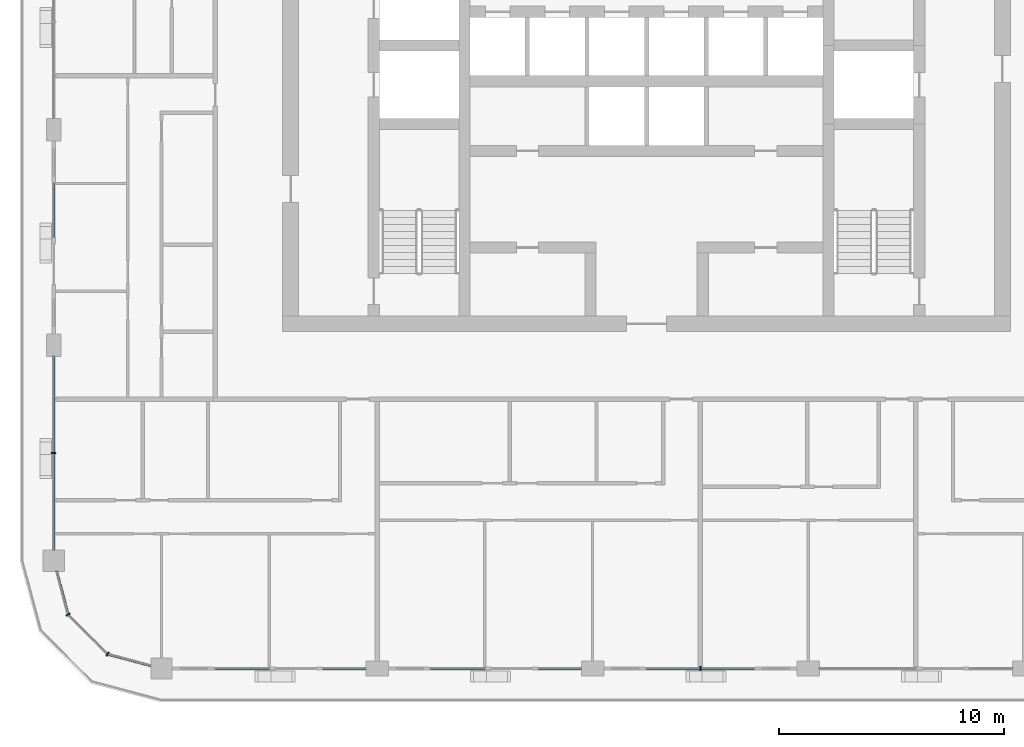
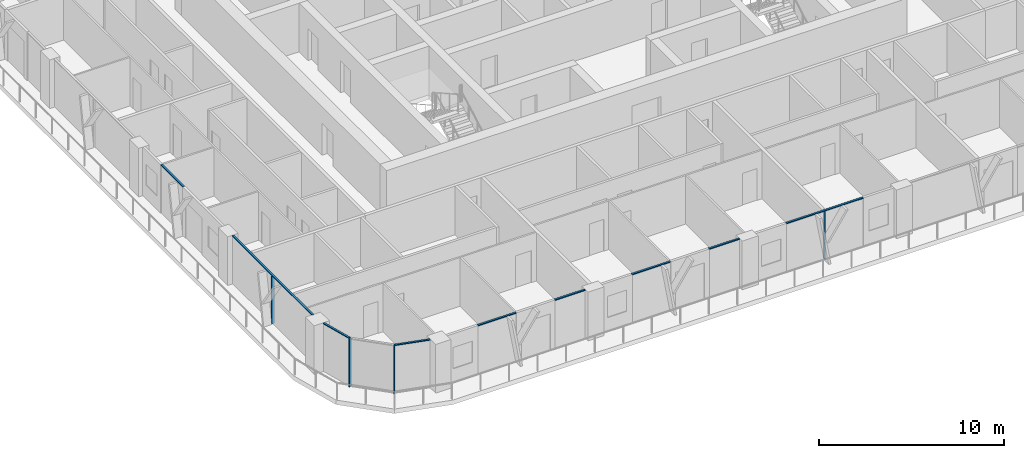
# One storey, part 2 of 21: 13 members, 6 elements without a shape of their own.
"""IFC4 building model written with IfcOpenShell, lengths in metres."""

from ifc_helpers import new_model, si_unit, direction, frame, origin, origin_2d, place, context, subcontext, project, spatial, rectangle, extrude, material, layer, layer_set, material_profile, profile_set, type_object, element, aggregate, save


model = new_model("IFC4")

# Units and contexts
model_context = context("Model", 3, precision=1e-05, world=origin(), true_north=direction((0.0, 1.0)))
body_context = subcontext(model_context, "Body", "Model", "MODEL_VIEW")
ifc_project = project(units=[si_unit("LENGTHUNIT", "METRE"), si_unit("AREAUNIT", "SQUARE_METRE"), si_unit("VOLUMEUNIT", "CUBIC_METRE"), si_unit("PLANEANGLEUNIT", "RADIAN"), si_unit("MASSUNIT", "GRAM", prefix="KILO")], contexts=[model_context])

# Site, building, storey
site_placement = place(None, origin())
site = spatial("IfcSite", under=ifc_project, at=site_placement, CompositionType="ELEMENT")
building_placement = place(site_placement, origin())
building = spatial("IfcBuilding", under=site, at=building_placement, Name="Madar Terraces", CompositionType="ELEMENT")
storey_placement = place(building_placement, frame((0.0, 0.0, 185.89990234375)))
storey = spatial("IfcBuildingStorey", under=building, at=storey_placement, Name="L48", CompositionType="ELEMENT", Elevation=185.89990234375)

# Curtain wall, member
ifc_material_1 = material(Name="Glass, ceramic frit dark grey, with black aluminium frame", Category="aluminium")
ifc_layer = layer(ifc_material_1, 0.199951171875)
ifc_layer_set = layer_set([ifc_layer], Name="Facade curtain wall, fritted glass")
curtain_wall_type = type_object("IfcCurtainWallType", Name="Facade curtain wall, fritted glass", PredefinedType="NOTDEFINED", material=ifc_layer_set)
curtain_wall_1_placement = place(storey_placement, origin())
curtain_wall_1 = element("IfcCurtainWall", 1, at=curtain_wall_1_placement, inside=storey, type_object=curtain_wall_type, Name="Outer skin curtain wall south bay 3", PredefinedType="NOTDEFINED")
ifc_material_2 = material(Name="Aluminium, black anodised", Category="aluminium")
ifc_material_profile_1 = material_profile(ifc_material_2, rectangle(XDim=0.199951171875, YDim=0.06005859375, at=origin_2d()), Name="Facade mullion 60x200")
ifc_profile_set_1 = profile_set([ifc_material_profile_1], Name="Aluminium, black anodised")
member_type_1 = type_object("IfcMemberType", Name="Facade mullion 60x200", PredefinedType="MULLION", material=ifc_profile_set_1)
member_1_placement = place(storey_placement, frame((33.60009765625, 0.0, 0.0), z_axis=(0.0, 0.0, 1.0), x_axis=(0.0, 1.0, 0.0)))
member_1 = element("IfcMember", 2, at=member_1_placement, type_object=member_type_1, Name="Mullion 1", PredefinedType="MULLION", context=body_context, shape_type="SweptSolid", body=[
    extrude(rectangle(XDim=0.199951171875, YDim=0.06005859375, at=origin_2d()), origin(), (0.0, 0.0, 1.0), 3.14013671875),
])

curtain_wall_2_placement = place(storey_placement, origin())
curtain_wall_2 = element("IfcCurtainWall", 3, at=curtain_wall_2_placement, inside=storey, type_object=curtain_wall_type, Name="Outer skin curtain wall west bay 4", PredefinedType="NOTDEFINED")
member_2_placement = place(storey_placement, frame((4.800048828125, 9.60009765625, 0.0), z_axis=(0.0, 0.0, 1.0), x_axis=(1.0, 0.0, 0.0)))
member_2 = element("IfcMember", 4, at=member_2_placement, type_object=member_type_1, Name="Mullion 1", PredefinedType="MULLION", context=body_context, shape_type="SweptSolid", body=[
    extrude(rectangle(XDim=0.199951171875, YDim=0.06005859375, at=origin_2d()), origin(), (0.0, 0.0, 1.0), 3.14013671875),
])

# Curtain wall, members
curtain_wall_3_placement = place(storey_placement, origin())
curtain_wall_3 = element("IfcCurtainWall", 5, at=curtain_wall_3_placement, inside=storey, type_object=curtain_wall_type, Name="Outer skin curtain wall south-west corner", PredefinedType="NOTDEFINED")
member_3_placement = place(storey_placement, frame((5.443115234375, 2.39990234375, 0.0), z_axis=(0.0, 0.0, 1.0), x_axis=(0.866025409797, 0.499999989586, 0.0)))
member_3 = element("IfcMember", 6, at=member_3_placement, type_object=member_type_1, Name="Mullion 1", PredefinedType="MULLION", context=body_context, shape_type="SweptSolid", body=[
    extrude(rectangle(XDim=0.199951171875, YDim=0.06005859375, at=origin_2d()), origin(), (0.0, 0.0, 1.0), 3.14013671875),
])
member_4_placement = place(storey_placement, frame((7.199951171875, 0.64306640625, 0.0), z_axis=(0.0, 0.0, 1.0), x_axis=(0.499999989586, 0.866025409797, 0.0)))
member_4 = element("IfcMember", 7, at=member_4_placement, type_object=member_type_1, Name="Mullion 2", PredefinedType="MULLION", context=body_context, shape_type="SweptSolid", body=[
    extrude(rectangle(XDim=0.199951171875, YDim=0.06005859375, at=origin_2d()), origin(), (0.0, 0.0, 1.0), 3.14013671875),
])

curtain_wall_4_placement = place(storey_placement, origin())
curtain_wall_4 = element("IfcCurtainWall", 8, at=curtain_wall_4_placement, inside=storey, type_object=curtain_wall_type, Name="Outer skin curtain wall south bay 1", PredefinedType="NOTDEFINED")
ifc_material_3 = material(Name="Aluminium, black anodised", Category="aluminium")
ifc_material_profile_2 = material_profile(ifc_material_3, rectangle(XDim=0.1201171875, YDim=0.06005859375, at=origin_2d()), Name="Facade transom 60x120")
ifc_profile_set_2 = profile_set([ifc_material_profile_2], Name="Aluminium, black anodised")
member_type_2 = type_object("IfcMemberType", Name="Facade transom 60x120", PredefinedType="USERDEFINED", material=ifc_profile_set_2)
member_5_placement = place(storey_placement, frame((12.0, 0.0, 3.170166015625), z_axis=(1.0, 0.0, 0.0), x_axis=(0.0, 1.0, 0.0)))
member_5 = element("IfcMember", 9, at=member_5_placement, type_object=member_type_2, Name="Transom 1", ObjectType="TRANSOM", PredefinedType="USERDEFINED", context=body_context, shape_type="SweptSolid", body=[
    extrude(rectangle(XDim=0.1201171875, YDim=0.06005859375, at=origin_2d()), origin(), (0.0, 0.0, 1.0), 2.39990234375),
])
member_6_placement = place(storey_placement, frame((16.800048828125, 0.0, 3.170166015625), z_axis=(1.0, 0.0, 0.0), x_axis=(0.0, 1.0, 0.0)))
member_6 = element("IfcMember", 10, at=member_6_placement, type_object=member_type_2, Name="Transom 2", ObjectType="TRANSOM", PredefinedType="USERDEFINED", context=body_context, shape_type="SweptSolid", body=[
    extrude(rectangle(XDim=0.1201171875, YDim=0.06005859375, at=origin_2d()), origin(), (0.0, 0.0, 1.0), 1.89990234375),
])
aggregate(curtain_wall_4, [member_5, member_6])

curtain_wall_5_placement = place(storey_placement, origin())
curtain_wall_5 = element("IfcCurtainWall", 11, at=curtain_wall_5_placement, inside=storey, type_object=curtain_wall_type, Name="Outer skin curtain wall south bay 2", PredefinedType="NOTDEFINED")
member_7_placement = place(storey_placement, frame((21.60009765625, 0.0, 3.170166015625), z_axis=(1.0, 0.0, 0.0), x_axis=(0.0, 1.0, 0.0)))
member_7 = element("IfcMember", 12, at=member_7_placement, type_object=member_type_2, Name="Transom 1", ObjectType="TRANSOM", PredefinedType="USERDEFINED", context=body_context, shape_type="SweptSolid", body=[
    extrude(rectangle(XDim=0.1201171875, YDim=0.06005859375, at=origin_2d()), origin(), (0.0, 0.0, 1.0), 2.39990234375),
])
member_8_placement = place(storey_placement, frame((26.39990234375, 0.0, 3.170166015625), z_axis=(1.0, 0.0, 0.0), x_axis=(0.0, 1.0, 0.0)))
member_8 = element("IfcMember", 13, at=member_8_placement, type_object=member_type_2, Name="Transom 2", ObjectType="TRANSOM", PredefinedType="USERDEFINED", context=body_context, shape_type="SweptSolid", body=[
    extrude(rectangle(XDim=0.1201171875, YDim=0.06005859375, at=origin_2d()), origin(), (0.0, 0.0, 1.0), 1.900146484375),
])
aggregate(curtain_wall_5, [member_7, member_8])

# Member
member_9_placement = place(storey_placement, frame((31.199951171875, 0.0, 3.170166015625), z_axis=(1.0, 0.0, 0.0), x_axis=(0.0, 1.0, 0.0)))
member_9 = element("IfcMember", 14, at=member_9_placement, type_object=member_type_2, Name="Transom 1", ObjectType="TRANSOM", PredefinedType="USERDEFINED", context=body_context, shape_type="SweptSolid", body=[
    extrude(rectangle(XDim=0.1201171875, YDim=0.06005859375, at=origin_2d()), origin(), (0.0, 0.0, 1.0), 4.800048828125),
])

aggregate(curtain_wall_1, [member_1, member_9])

# Curtain wall, member
curtain_wall_6_placement = place(storey_placement, origin())
curtain_wall_6 = element("IfcCurtainWall", 15, at=curtain_wall_6_placement, inside=storey, type_object=curtain_wall_type, Name="Outer skin curtain wall west bay 3", PredefinedType="NOTDEFINED")
member_10_placement = place(storey_placement, frame((4.800048828125, 21.60009765625, 3.170166015625), z_axis=(0.0, -1.0, 0.0), x_axis=(1.0, 0.0, 0.0)))
member_10 = element("IfcMember", 16, at=member_10_placement, type_object=member_type_2, Name="Transom 1", ObjectType="TRANSOM", PredefinedType="USERDEFINED", context=body_context, shape_type="SweptSolid", body=[
    extrude(rectangle(XDim=0.1201171875, YDim=0.06005859375, at=origin_2d()), origin(), (0.0, 0.0, 1.0), 2.400146484375),
])
aggregate(curtain_wall_6, [member_10])

# Member
member_11_placement = place(storey_placement, frame((4.800048828125, 13.89990234375, 3.170166015625), z_axis=(0.0, -1.0, 0.0), x_axis=(1.0, 0.0, 0.0)))
member_11 = element("IfcMember", 17, at=member_11_placement, type_object=member_type_2, Name="Transom 1", ObjectType="TRANSOM", PredefinedType="USERDEFINED", context=body_context, shape_type="SweptSolid", body=[
    extrude(rectangle(XDim=0.1201171875, YDim=0.06005859375, at=origin_2d()), origin(), (0.0, 0.0, 1.0), 8.625),
])

aggregate(curtain_wall_2, [member_2, member_11])

member_12_placement = place(storey_placement, frame((4.92724609375, 4.324951171875, 3.170166015625), z_axis=(0.258831412352, -0.96592251241, 0.0), x_axis=(0.96592251241, 0.258831412352, 0.0)))
member_12 = element("IfcMember", 18, at=member_12_placement, type_object=member_type_2, Name="Transom 1", ObjectType="TRANSOM", PredefinedType="USERDEFINED", context=body_context, shape_type="SweptSolid", body=[
    extrude(rectangle(XDim=0.1201171875, YDim=0.06005859375, at=origin_2d()), origin(), (0.0, 0.0, 1.0), 1.962890625),
])

member_13_placement = place(storey_placement, frame((7.22900390625, 0.63525390625, 3.170166015625), z_axis=(0.96592251241, -0.258831412352, 0.0), x_axis=(0.258831412352, 0.96592251241, 0.0)))
member_13 = element("IfcMember", 19, at=member_13_placement, type_object=member_type_2, Name="Transom 3", ObjectType="TRANSOM", PredefinedType="USERDEFINED", context=body_context, shape_type="SweptSolid", body=[
    extrude(rectangle(XDim=0.1201171875, YDim=0.06005859375, at=origin_2d()), origin(), (0.0, 0.0, 1.0), 1.962890625),
])

aggregate(curtain_wall_3, [member_3, member_12, member_4, member_13])

save(model, "model.ifc")
